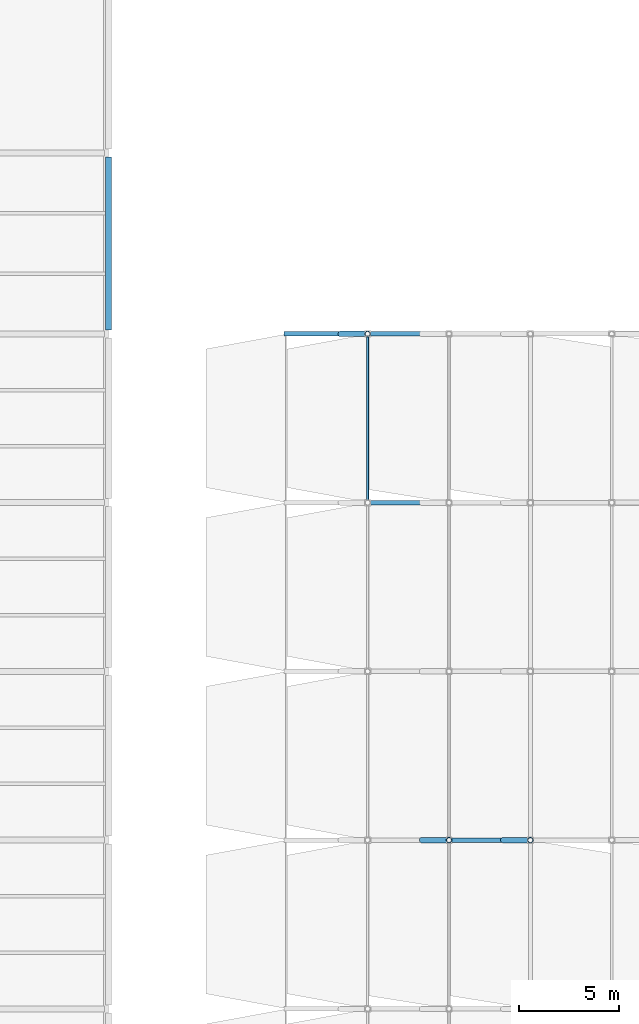
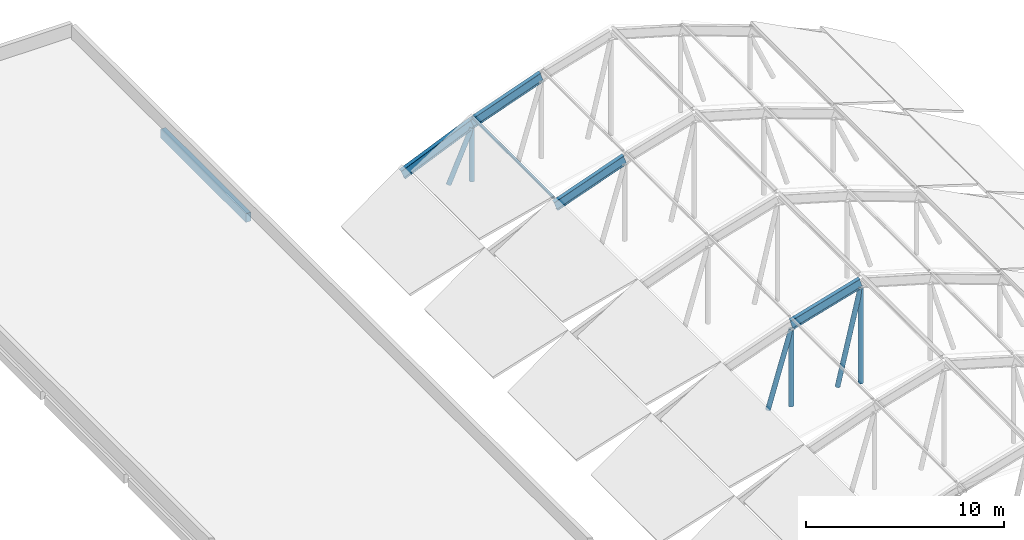
# One storey, part 8 of 22: 7 members, 5 beams.
"""IFC4 building model written with IfcOpenShell, lengths in metres."""

from ifc_helpers import new_model, si_unit, direction, frame, origin, origin_2d, place, context, subcontext, project, spatial, rectangle, hollow_rectangle, hollow_circle, i_section, extrude, material, material_profile, profile_set, type_object, element, save


model = new_model("IFC4")

# Units and contexts
model_context = context("Model", 3, precision=1e-05, world=origin(), true_north=direction((0.0, 1.0)))
body_context = subcontext(model_context, "Body", "Model", "MODEL_VIEW")
ifc_project = project(units=[si_unit("LENGTHUNIT", "METRE"), si_unit("AREAUNIT", "SQUARE_METRE"), si_unit("VOLUMEUNIT", "CUBIC_METRE"), si_unit("PLANEANGLEUNIT", "RADIAN"), si_unit("MASSUNIT", "GRAM", prefix="KILO")], contexts=[model_context])

# Site, building, storey
site_placement = place(None, origin())
site = spatial("IfcSite", under=ifc_project, at=site_placement, CompositionType="ELEMENT")
building_placement = place(site_placement, origin())
building = spatial("IfcBuilding", under=site, at=building_placement, Name="Vireocrest Preparatory School", CompositionType="ELEMENT")
storey_placement = place(building_placement, frame((0.0, 0.0, 25.800048828125)))
storey = spatial("IfcBuildingStorey", under=building, at=storey_placement, Name="RF", CompositionType="ELEMENT", Elevation=25.800048828125)

# Member
ifc_material_1 = material(Name="Painted white steel ASTM A500 Grade C", Category="steel")
ifc_material_profile_1 = material_profile(ifc_material_1, hollow_rectangle(XDim=0.126953125, YDim=0.126953125, WallThickness=0.0087890625, InnerFilletRadius=0.0087890625, OuterFilletRadius=0.017822265625, at=origin_2d()), Name="HSS5X5X3/8")
ifc_profile_set_1 = profile_set([ifc_material_profile_1], Name="Painted white steel ASTM A500 Grade C")
member_type_1 = type_object("IfcMemberType", Name="Canopy Glass Steel Purlin HSS5X5X3/8", PredefinedType="PURLIN", material=ifc_profile_set_1)
member_1_placement = place(storey_placement, frame((71.699951171875, 77.510009765625, 1.33203125), z_axis=(0.0, 1.0, 0.0), x_axis=(-1.0, 0.0, 0.0)))
element("IfcMember", 1, at=member_1_placement, inside=storey, type_object=member_type_1, Name="Canopy Glass Purlin PR2-7-3", PredefinedType="PURLIN", context=body_context, shape_type="SweptSolid", body=[
    extrude(hollow_rectangle(XDim=0.126953125, YDim=0.126953125, WallThickness=0.0087890625, InnerFilletRadius=0.0087890625, OuterFilletRadius=0.017822265625, at=origin_2d()), origin(), (0.0, 0.0, 1.0), 8.179931640625),
])

# Beams
ifc_material_2 = material(Name="Structural steel ASTM A992 Grade 50", Category="steel")
ifc_material_profile_2 = material_profile(ifc_material_2, i_section(OverallWidth=0.22802734375, OverallDepth=0.60302734375, WebThickness=0.010498046875, FlangeThickness=0.014892578125, FilletRadius=0.01611328125, at=origin_2d()), Name="W24X68")
ifc_profile_set_2 = profile_set([ifc_material_profile_2], Name="Structural steel ASTM A992 Grade 50")
beam_type_1 = type_object("IfcBeamType", Name="Dining Pavilion Roof Girder W24X68", PredefinedType="BEAM", material=ifc_profile_set_2)
beam_1_placement = place(storey_placement, frame((75.75, 60.60009765625, 2.394287109375), z_axis=(0.960069326573, 0.0, 0.279762199328), x_axis=(0.0, 1.0, 0.0)))
element("IfcBeam", 2, at=beam_1_placement, inside=storey, type_object=beam_type_1, Name="Canopy Rafter Chord SB4-5-4", PredefinedType="BEAM", context=body_context, shape_type="SweptSolid", body=[
    extrude(i_section(OverallWidth=0.22802734375, OverallDepth=0.60302734375, WebThickness=0.010498046875, FlangeThickness=0.014892578125, FilletRadius=0.01611328125, at=origin_2d()), origin(), (0.0, 0.0, 1.0), 4.218505859375),
])
beam_2_placement = place(storey_placement, frame((71.699951171875, 77.39990234375, 0.934326171875), z_axis=(0.9407434664, 0.0, 0.33911905052), x_axis=(0.0, 1.0, 0.0)))
element("IfcBeam", 3, at=beam_2_placement, inside=storey, type_object=beam_type_1, Name="Canopy Rafter Chord SB4-7-3", PredefinedType="BEAM", context=body_context, shape_type="SweptSolid", body=[
    extrude(i_section(OverallWidth=0.22802734375, OverallDepth=0.60302734375, WebThickness=0.010498046875, FlangeThickness=0.014892578125, FilletRadius=0.01611328125, at=origin_2d()), origin(), (0.0, 0.0, 1.0), 4.30517578125),
])
beam_3_placement = place(storey_placement, frame((67.64990234375, 85.800048828125, -0.8056640625), z_axis=(0.918795164694, 0.0, 0.394734651804), x_axis=(0.0, 1.0, 0.0)))
element("IfcBeam", 4, at=beam_3_placement, inside=storey, type_object=beam_type_1, Name="Canopy Rafter Chord SB4-8-2", PredefinedType="BEAM", context=body_context, shape_type="SweptSolid", body=[
    extrude(i_section(OverallWidth=0.22802734375, OverallDepth=0.60302734375, WebThickness=0.010498046875, FlangeThickness=0.014892578125, FilletRadius=0.01611328125, at=origin_2d()), origin(), (0.0, 0.0, 1.0), 4.407958984375),
])
beam_4_placement = place(storey_placement, frame((71.699951171875, 85.800048828125, 0.934326171875), z_axis=(0.9407434664, 0.0, 0.33911905052), x_axis=(0.0, 1.0, 0.0)))
element("IfcBeam", 5, at=beam_4_placement, inside=storey, type_object=beam_type_1, Name="Canopy Rafter Chord SB4-8-3", PredefinedType="BEAM", context=body_context, shape_type="SweptSolid", body=[
    extrude(i_section(OverallWidth=0.22802734375, OverallDepth=0.60302734375, WebThickness=0.010498046875, FlangeThickness=0.014892578125, FilletRadius=0.01611328125, at=origin_2d()), origin(), (0.0, 0.0, 1.0), 4.30517578125),
])
ifc_material_3 = material(Name="Concrete 40 MPa", Category="concrete")
ifc_material_profile_3 = material_profile(ifc_material_3, rectangle(XDim=0.300048828125, YDim=0.550048828125, at=origin_2d()), Name="RC 300x550")
ifc_profile_set_3 = profile_set([ifc_material_profile_3], Name="Concrete 40 MPa")
beam_type_2 = type_object("IfcBeamType", Name="RC Roof Girder 300x550", PredefinedType="BEAM", material=ifc_profile_set_3)
beam_5_placement = place(storey_placement, frame((58.800048828125, 86.0, -0.4951171875), z_axis=(0.0, 1.0, 0.0), x_axis=(-1.0, 0.0, 0.0)))
element("IfcBeam", 6, at=beam_5_placement, inside=storey, type_object=beam_type_2, Name="Primary Girder B02 RF-1719", PredefinedType="BEAM", context=body_context, shape_type="SweptSolid", body=[
    extrude(rectangle(XDim=0.300048828125, YDim=0.550048828125, at=origin_2d()), origin(), (0.0, 0.0, 1.0), 8.60009765625),
])

# Members
ifc_material_profile_4 = material_profile(ifc_material_1, hollow_circle(Radius=0.136474609375, WallThickness=0.0126953125, at=origin_2d()), Name="HSS10.750X0.500")
ifc_profile_set_4 = profile_set([ifc_material_profile_4], Name="Painted white steel ASTM A500 Grade C")
member_type_2 = type_object("IfcMemberType", Name="White Steel Clerestory Strut HSS10.750X0.500", PredefinedType="USERDEFINED", material=ifc_profile_set_4)
member_2_placement = place(storey_placement, frame((75.75, 60.60009765625, -2.62255859375), z_axis=(0.0, 0.0, 1.0), x_axis=(1.0, 0.0, 0.0)))
element("IfcMember", 7, at=member_2_placement, inside=storey, type_object=member_type_2, Name="Canopy Truss Web Vertical VS3-5-4", ObjectType="STRUT", PredefinedType="USERDEFINED", context=body_context, shape_type="SweptSolid", body=[
    extrude(hollow_circle(Radius=0.136474609375, WallThickness=0.0126953125, at=origin_2d()), origin(), (0.0, 0.0, 1.0), 4.740478515625),
])
member_3_placement = place(storey_placement, frame((79.800048828125, 60.60009765625, -2.62255859375), z_axis=(0.0, 0.0, 1.0), x_axis=(1.0, 0.0, 0.0)))
element("IfcMember", 8, at=member_3_placement, inside=storey, type_object=member_type_2, Name="Canopy Truss Web Vertical VS3-5-5", ObjectType="STRUT", PredefinedType="USERDEFINED", context=body_context, shape_type="SweptSolid", body=[
    extrude(hollow_circle(Radius=0.136474609375, WallThickness=0.0126953125, at=origin_2d()), origin(), (0.0, 0.0, 1.0), 5.92041015625),
])
member_4_placement = place(storey_placement, frame((74.39990234375, 60.60009765625, -2.385009765625), z_axis=(0.287195414927, 0.0, 0.957872013186), x_axis=(0.0, 1.0, 0.0)))
element("IfcMember", 9, at=member_4_placement, inside=storey, type_object=member_type_2, Name="Canopy Truss Web Strut VS3-5-3", ObjectType="STRUT", PredefinedType="USERDEFINED", context=body_context, shape_type="SweptSolid", body=[
    extrude(hollow_circle(Radius=0.136474609375, WallThickness=0.0126953125, at=origin_2d()), origin(), (0.0, 0.0, 1.0), 4.700927734375),
])
member_5_placement = place(storey_placement, frame((78.449951171875, 60.60009765625, -2.385009765625), z_axis=(0.231140186577, 0.0, 0.972920456229), x_axis=(0.0, 1.0, 0.0)))
element("IfcMember", 10, at=member_5_placement, inside=storey, type_object=member_type_2, Name="Canopy Truss Web Strut VS3-5-4", ObjectType="STRUT", PredefinedType="USERDEFINED", context=body_context, shape_type="SweptSolid", body=[
    extrude(hollow_circle(Radius=0.136474609375, WallThickness=0.0126953125, at=origin_2d()), origin(), (0.0, 0.0, 1.0), 5.841064453125),
])
member_6_placement = place(storey_placement, frame((71.699951171875, 85.800048828125, -2.62255859375), z_axis=(0.0, 0.0, 1.0), x_axis=(1.0, 0.0, 0.0)))
element("IfcMember", 11, at=member_6_placement, inside=storey, type_object=member_type_2, Name="Canopy Truss Web Vertical VS3-8-3", ObjectType="STRUT", PredefinedType="USERDEFINED", context=body_context, shape_type="SweptSolid", body=[
    extrude(hollow_circle(Radius=0.136474609375, WallThickness=0.0126953125, at=origin_2d()), origin(), (0.0, 0.0, 1.0), 3.280517578125),
])
member_7_placement = place(storey_placement, frame((70.35009765625, 85.800048828125, -2.385009765625), z_axis=(0.405491921788, 0.0, 0.91409862781), x_axis=(0.0, 1.0, 0.0)))
element("IfcMember", 12, at=member_7_placement, inside=storey, type_object=member_type_2, Name="Canopy Truss Web Strut VS3-8-2", ObjectType="STRUT", PredefinedType="USERDEFINED", context=body_context, shape_type="SweptSolid", body=[
    extrude(hollow_circle(Radius=0.136474609375, WallThickness=0.0126953125, at=origin_2d()), origin(), (0.0, 0.0, 1.0), 3.328857421875),
])

save(model, "model.ifc")
